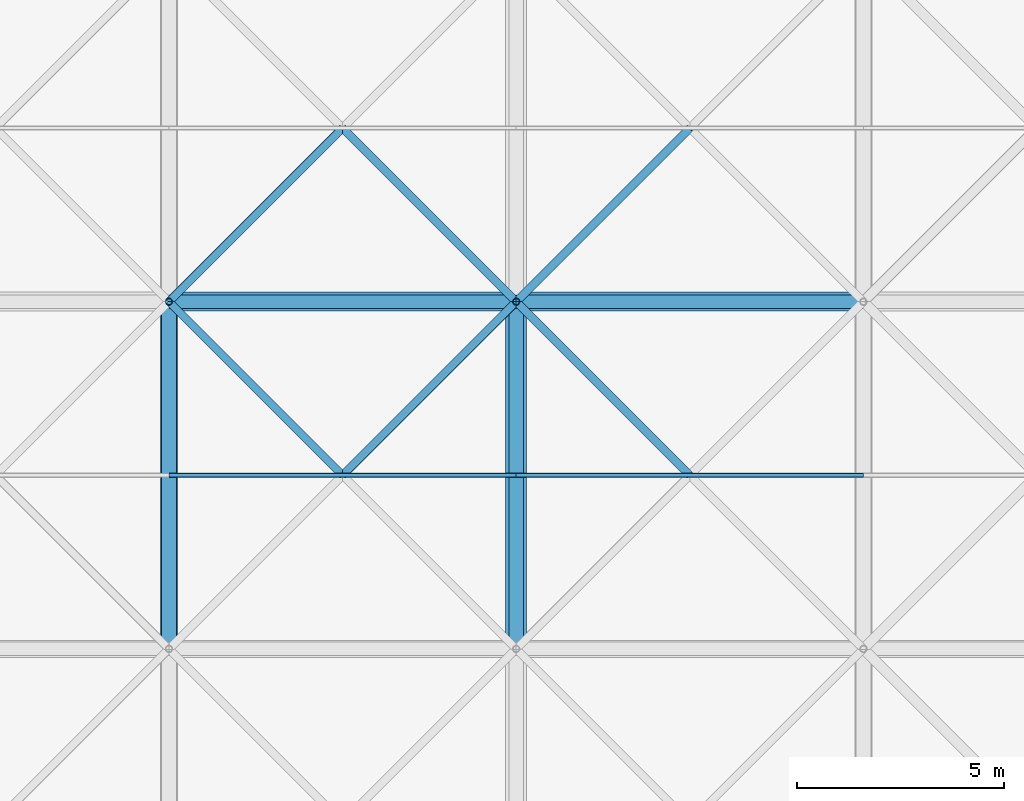
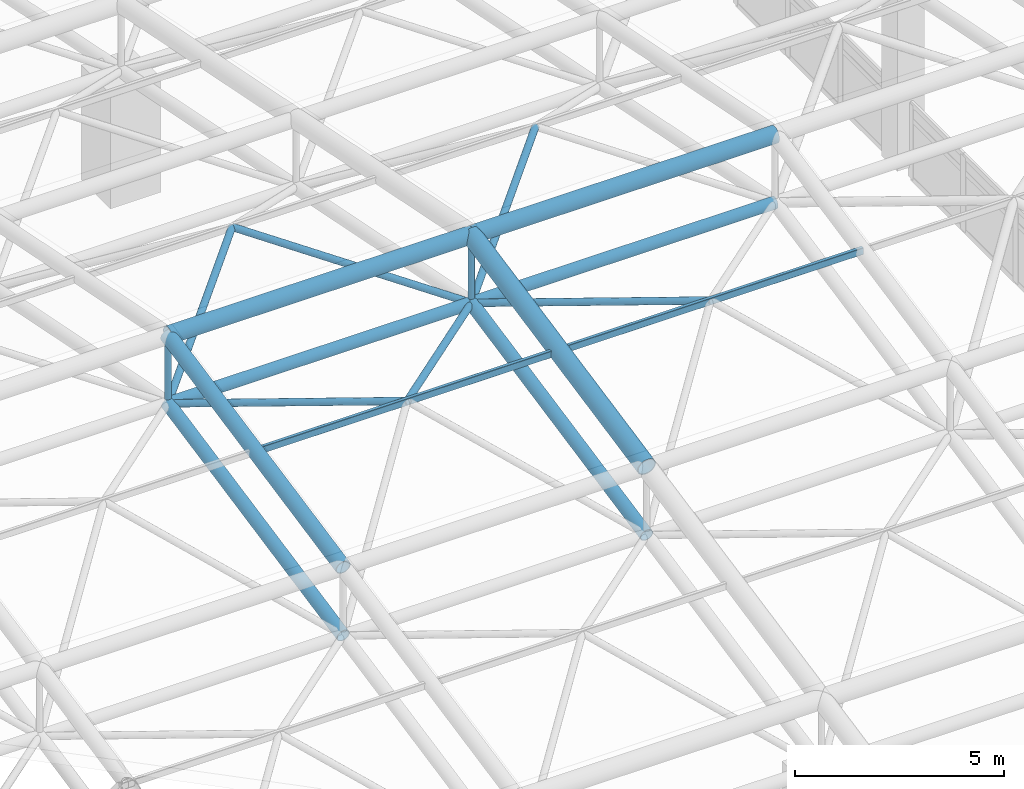
# One storey, part 59 of 110: 18 members.
"""IFC4 building model written with IfcOpenShell, lengths in metres."""

from ifc_helpers import new_model, si_unit, direction, frame, origin, origin_2d, place, context, subcontext, project, spatial, hollow_rectangle, hollow_circle, extrude, material, material_profile, profile_set, type_object, element, save


model = new_model("IFC4")

# Units and contexts
model_context = context("Model", 3, precision=1e-05, world=origin(), true_north=direction((0.0, 1.0)))
body_context = subcontext(model_context, "Body", "Model", "MODEL_VIEW")
ifc_project = project(units=[si_unit("LENGTHUNIT", "METRE"), si_unit("AREAUNIT", "SQUARE_METRE"), si_unit("VOLUMEUNIT", "CUBIC_METRE"), si_unit("PLANEANGLEUNIT", "RADIAN"), si_unit("MASSUNIT", "GRAM", prefix="KILO")], contexts=[model_context])

# Site, building, storey
site_placement = place(None, origin())
site = spatial("IfcSite", under=ifc_project, at=site_placement, CompositionType="ELEMENT")
building_placement = place(site_placement, origin())
building = spatial("IfcBuilding", under=site, at=building_placement, Name="Qawsi Khor Wholesale Market", CompositionType="ELEMENT")
storey_placement = place(building_placement, frame((0.0, 0.0, 11.39990234375)))
storey = spatial("IfcBuildingStorey", under=building, at=storey_placement, Name="L02", CompositionType="ELEMENT", Elevation=11.39990234375)

# Members
ifc_material = material(Name="Steel S355", Category="steel")
ifc_material_profile_1 = material_profile(ifc_material, hollow_circle(Radius=0.177734375, WallThickness=0.01611328125, at=origin_2d()), Name="CHS 355.6x16.0")
ifc_profile_set_1 = profile_set([ifc_material_profile_1], Name="Steel S355")
member_type_1 = type_object("IfcMemberType", Name="Space-Frame Bottom Chord CHS 355.6x16.0", PredefinedType="CHORD", material=ifc_profile_set_1)
for number, where, z_axis, x_axis, name in (
    (1, (193.199951171875, 67.199951171875, 5.070068359375), (0.0, 0.98013111127, 0.198350711418), (-1.0, 0.0, 0.0), "Space frame bottom chord Y EH (23,8)"),
    (2, (201.60009765625, 67.199951171875, 5.070068359375), (0.0, 0.98013111127, 0.198350711418), (-1.0, 0.0, 0.0), "Space frame bottom chord Y EH (24,8)"),
):
    element("IfcMember", number, at=place(storey_placement, frame(where, z_axis=z_axis, x_axis=x_axis)), inside=storey, type_object=member_type_1, Name=name, PredefinedType="CHORD", context=body_context, shape_type="SweptSolid", body=[
        extrude(hollow_circle(Radius=0.177734375, WallThickness=0.01611328125, at=origin_2d()), origin(), (0.0, 0.0, 1.0), 8.5703125),
    ])
ifc_material_profile_2 = material_profile(ifc_material, hollow_circle(Radius=0.25390625, WallThickness=0.02490234375, at=origin_2d()), Name="CHS 508.0x25.0")
ifc_profile_set_2 = profile_set([ifc_material_profile_2], Name="Steel S355")
member_type_2 = type_object("IfcMemberType", Name="Space-Frame Main Chord CHS 508.0x25.0", PredefinedType="CHORD", material=ifc_profile_set_2)
member_1_placement = place(storey_placement, frame((201.60009765625, 67.199951171875, 7.070068359375), z_axis=(0.0, 0.98013111127, 0.198350711418), x_axis=(-1.0, 0.0, 0.0)))
element("IfcMember", 3, at=member_1_placement, inside=storey, type_object=member_type_2, Name="Space frame top chord Y EH (24,8)", PredefinedType="CHORD", context=body_context, shape_type="SweptSolid", body=[
    extrude(hollow_circle(Radius=0.25390625, WallThickness=0.02490234375, at=origin_2d()), origin(), (0.0, 0.0, 1.0), 8.5703125),
])
ifc_material_profile_3 = material_profile(ifc_material, hollow_rectangle(XDim=0.10009765625, YDim=0.199951171875, WallThickness=0.008056640625, InnerFilletRadius=0.008056640625, OuterFilletRadius=0.01611328125, at=origin_2d()), Name="RHS 200x100x8.0")
ifc_profile_set_3 = profile_set([ifc_material_profile_3], Name="Steel S355")
member_type_3 = type_object("IfcMemberType", Name="Space-Frame Purlin RHS 200x100x8.0", PredefinedType="PURLIN", material=ifc_profile_set_3)
member_2_placement = place(storey_placement, frame((193.199951171875, 71.39990234375, 7.920166015625), z_axis=(1.0, 0.0, 0.0), x_axis=(0.0, 1.0, 0.0)))
element("IfcMember", 4, at=member_2_placement, inside=storey, type_object=member_type_3, Name="Space frame purlin EH (23,8)", PredefinedType="PURLIN", context=body_context, shape_type="SweptSolid", body=[
    extrude(hollow_rectangle(XDim=0.10009765625, YDim=0.199951171875, WallThickness=0.008056640625, InnerFilletRadius=0.008056640625, OuterFilletRadius=0.01611328125, at=origin_2d()), origin(), (0.0, 0.0, 1.0), 8.400146484375),
])
member_3_placement = place(storey_placement, frame((201.60009765625, 71.39990234375, 7.920166015625), z_axis=(1.0, 0.0, 0.0), x_axis=(0.0, 1.0, 0.0)))
element("IfcMember", 5, at=member_3_placement, inside=storey, type_object=member_type_3, Name="Space frame purlin EH (24,8)", PredefinedType="PURLIN", context=body_context, shape_type="SweptSolid", body=[
    extrude(hollow_rectangle(XDim=0.10009765625, YDim=0.199951171875, WallThickness=0.008056640625, InnerFilletRadius=0.008056640625, OuterFilletRadius=0.01611328125, at=origin_2d()), origin(), (0.0, 0.0, 1.0), 8.39990234375),
])
ifc_material_profile_4 = material_profile(ifc_material, hollow_circle(Radius=0.228515625, WallThickness=0.02001953125, at=origin_2d()), Name="CHS 457.0x20.0")
ifc_profile_set_4 = profile_set([ifc_material_profile_4], Name="Steel S355")
member_type_4 = type_object("IfcMemberType", Name="Space-Frame Ridge Chord CHS 457.0x20.0", PredefinedType="CHORD", material=ifc_profile_set_4)
member_4_placement = place(storey_placement, frame((193.199951171875, 75.60009765625, 8.77001953125), z_axis=(1.0, 0.0, 0.0), x_axis=(0.0, 1.0, 0.0)))
element("IfcMember", 6, at=member_4_placement, inside=storey, type_object=member_type_4, Name="Space frame top chord X EH (23,9)", PredefinedType="CHORD", context=body_context, shape_type="SweptSolid", body=[
    extrude(hollow_circle(Radius=0.228515625, WallThickness=0.02001953125, at=origin_2d()), origin(), (0.0, 0.0, 1.0), 8.400146484375),
])
member_5_placement = place(storey_placement, frame((201.60009765625, 75.60009765625, 8.77001953125), z_axis=(1.0, 0.0, 0.0), x_axis=(0.0, 1.0, 0.0)))
element("IfcMember", 7, at=member_5_placement, inside=storey, type_object=member_type_4, Name="Space frame top chord X EH (24,9)", PredefinedType="CHORD", context=body_context, shape_type="SweptSolid", body=[
    extrude(hollow_circle(Radius=0.228515625, WallThickness=0.02001953125, at=origin_2d()), origin(), (0.0, 0.0, 1.0), 8.39990234375),
])
ifc_material_profile_5 = material_profile(ifc_material, hollow_circle(Radius=0.161865234375, WallThickness=0.01611328125, at=origin_2d()), Name="CHS 323.9x16.0")
ifc_profile_set_5 = profile_set([ifc_material_profile_5], Name="Steel S355")
member_type_5 = type_object("IfcMemberType", Name="Space-Frame Secondary Chord CHS 323.9x16.0", PredefinedType="CHORD", material=ifc_profile_set_5)
member_6_placement = place(storey_placement, frame((193.199951171875, 75.60009765625, 6.77001953125), z_axis=(1.0, 0.0, 0.0), x_axis=(0.0, 1.0, 0.0)))
element("IfcMember", 8, at=member_6_placement, inside=storey, type_object=member_type_5, Name="Space frame bottom chord X EH (23,9)", PredefinedType="CHORD", context=body_context, shape_type="SweptSolid", body=[
    extrude(hollow_circle(Radius=0.161865234375, WallThickness=0.01611328125, at=origin_2d()), origin(), (0.0, 0.0, 1.0), 8.400146484375),
])
member_7_placement = place(storey_placement, frame((201.60009765625, 75.60009765625, 6.77001953125), z_axis=(1.0, 0.0, 0.0), x_axis=(0.0, 1.0, 0.0)))
element("IfcMember", 9, at=member_7_placement, inside=storey, type_object=member_type_5, Name="Space frame bottom chord X EH (24,9)", PredefinedType="CHORD", context=body_context, shape_type="SweptSolid", body=[
    extrude(hollow_circle(Radius=0.161865234375, WallThickness=0.01611328125, at=origin_2d()), origin(), (0.0, 0.0, 1.0), 8.39990234375),
])
ifc_material_profile_6 = material_profile(ifc_material, hollow_circle(Radius=0.096923828125, WallThickness=0.008056640625, at=origin_2d()), Name="CHS 193.7x8.0")
ifc_profile_set_6 = profile_set([ifc_material_profile_6], Name="Steel S355")
member_type_6 = type_object("IfcMemberType", Name="Space-Frame Secondary Diagonal CHS 193.7x8.0", PredefinedType="RAFTER", material=ifc_profile_set_6)
member_8_placement = place(storey_placement, frame((201.60009765625, 75.60009765625, 6.77001953125), z_axis=(-0.694212847476, -0.694212847476, 0.190097461315), x_axis=(0.707106781187, -0.707106781187, 0.0)))
element("IfcMember", 10, at=member_8_placement, inside=storey, type_object=member_type_6, Name="Space frame diagonal EH (23,8)-3", PredefinedType="RAFTER", context=body_context, shape_type="SweptSolid", body=[
    extrude(hollow_circle(Radius=0.096923828125, WallThickness=0.008056640625, at=origin_2d()), origin(), (0.0, 0.0, 1.0), 6.05029296875),
])
for number, where, z_axis, x_axis, name in (
    (11, (193.199951171875, 75.60009765625, 6.77001953125), (0.694191941586, -0.694232294544, 0.190102786538), (0.707127332136, 0.70708622964, 0.0), "Space frame diagonal EH (23,8)-4"),
    (12, (193.199951171875, 75.60009765625, 6.77001953125), (0.694211389158, 0.694211389158, 0.190108112208), (-0.707106781187, 0.707106781187, 0.0), "Space frame diagonal EH (23,9)-1"),
    (13, (201.60009765625, 75.60009765625, 6.77001953125), (-0.694232294544, 0.694191941586, 0.190102786538), (-0.70708622964, -0.707127332136, 0.0), "Space frame diagonal EH (23,9)-2"),
    (14, (201.60009765625, 75.60009765625, 6.77001953125), (0.694191941586, -0.694232294544, 0.190102786538), (0.707127332136, 0.70708622964, 0.0), "Space frame diagonal EH (24,8)-4"),
    (15, (201.60009765625, 75.60009765625, 6.77001953125), (0.694211389158, 0.694211389158, 0.190108112208), (-0.707106781187, 0.707106781187, 0.0), "Space frame diagonal EH (24,9)-1"),
):
    element("IfcMember", number, at=place(storey_placement, frame(where, z_axis=z_axis, x_axis=x_axis)), inside=storey, type_object=member_type_6, Name=name, PredefinedType="RAFTER", context=body_context, shape_type="SweptSolid", body=[
        extrude(hollow_circle(Radius=0.096923828125, WallThickness=0.008056640625, at=origin_2d()), origin(), (0.0, 0.0, 1.0), 6.050048828125),
    ])
ifc_material_profile_7 = material_profile(ifc_material, hollow_circle(Radius=0.203125, WallThickness=0.02001953125, at=origin_2d()), Name="CHS 406.4x20.0")
ifc_profile_set_7 = profile_set([ifc_material_profile_7], Name="Steel S355")
member_type_7 = type_object("IfcMemberType", Name="Space-Frame Top Chord CHS 406.4x20.0", PredefinedType="CHORD", material=ifc_profile_set_7)
member_9_placement = place(storey_placement, frame((193.199951171875, 67.199951171875, 7.070068359375), z_axis=(0.0, 0.98013111127, 0.198350711418), x_axis=(-1.0, 0.0, 0.0)))
element("IfcMember", 16, at=member_9_placement, inside=storey, type_object=member_type_7, Name="Space frame top chord Y EH (23,8)", PredefinedType="CHORD", context=body_context, shape_type="SweptSolid", body=[
    extrude(hollow_circle(Radius=0.203125, WallThickness=0.02001953125, at=origin_2d()), origin(), (0.0, 0.0, 1.0), 8.5703125),
])
ifc_material_profile_8 = material_profile(ifc_material, hollow_circle(Radius=0.084228515625, WallThickness=0.008056640625, at=origin_2d()), Name="CHS 168.3x8.0")
ifc_profile_set_8 = profile_set([ifc_material_profile_8], Name="Steel S355")
member_type_8 = type_object("IfcMemberType", Name="Space-Frame Vertical Strut CHS 168.3x8.0", PredefinedType="STRUT", material=ifc_profile_set_8)
for number, where, z_axis, x_axis, name in (
    (17, (193.199951171875, 75.60009765625, 6.77001953125), (0.0, 0.0, 1.0), (1.0, 0.0, 0.0), "Space frame post EH (23,9)"),
    (18, (201.60009765625, 75.60009765625, 6.77001953125), (0.0, 0.0, 1.0), (1.0, 0.0, 0.0), "Space frame post EH (24,9)"),
):
    element("IfcMember", number, at=place(storey_placement, frame(where, z_axis=z_axis, x_axis=x_axis)), inside=storey, type_object=member_type_8, Name=name, PredefinedType="STRUT", context=body_context, shape_type="SweptSolid", body=[
        extrude(hollow_circle(Radius=0.084228515625, WallThickness=0.008056640625, at=origin_2d()), origin(), (0.0, 0.0, 1.0), 2.0),
    ])

save(model, "model.ifc")
